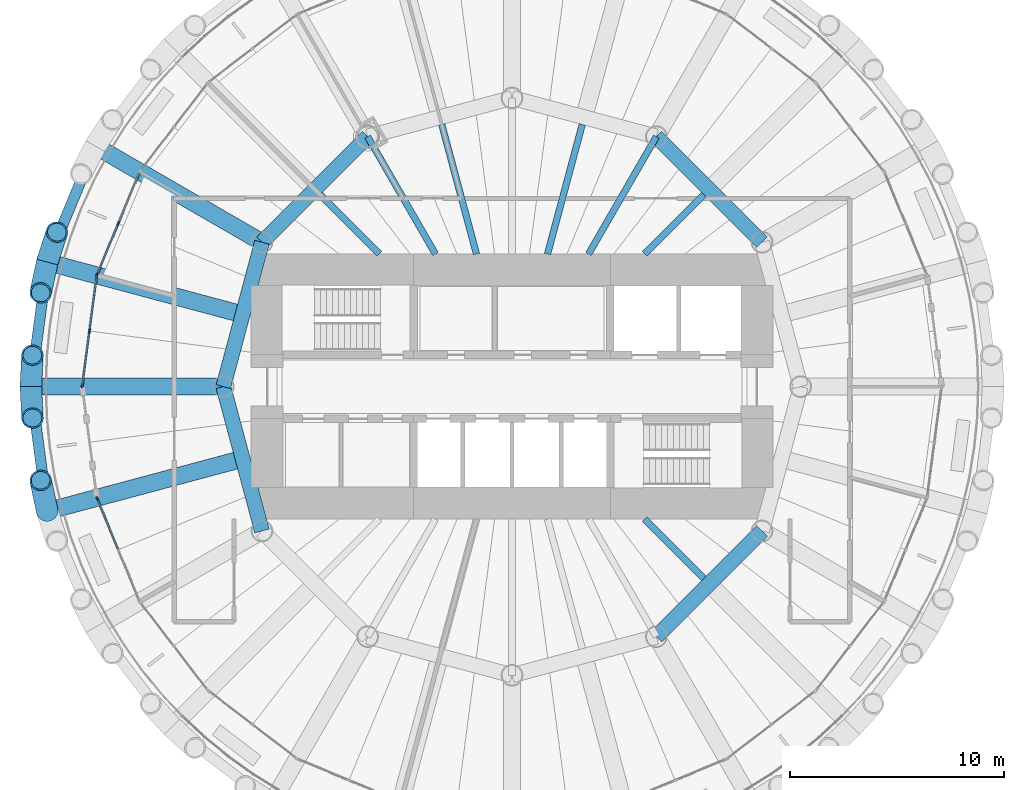
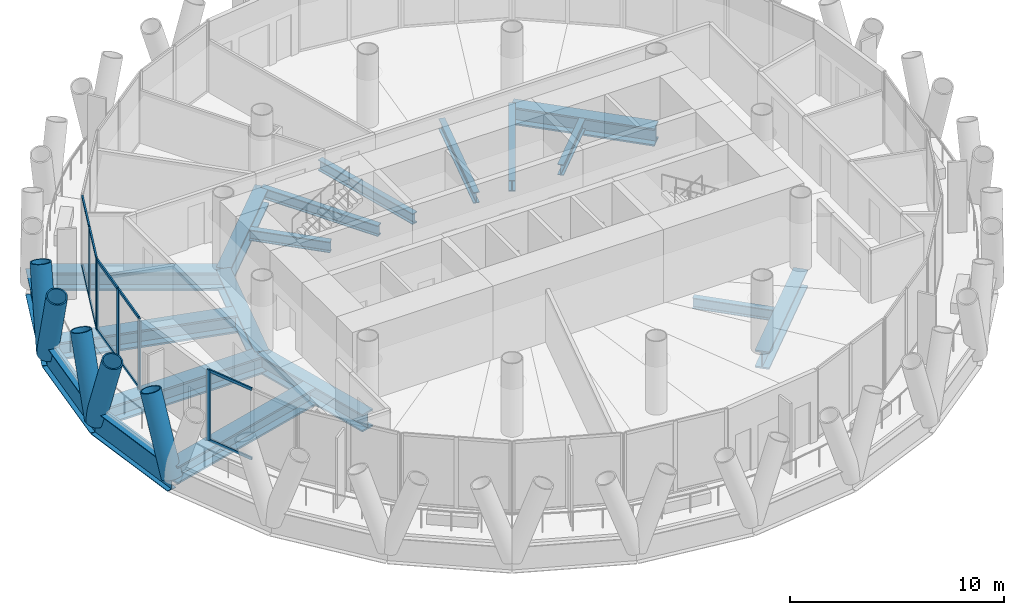
# One storey, part 3 of 14: 21 members, 19 beams, 3 elements without a shape of their own.
"""IFC4 building model written with IfcOpenShell, lengths in metres."""

from ifc_helpers import new_model, si_unit, direction, frame, origin, origin_2d, place, context, subcontext, project, spatial, rectangle, hollow_circle, i_section, extrude, material, material_profile, profile_set, type_object, element, aggregate, save


model = new_model("IFC4")

# Units and contexts
model_context = context("Model", 3, precision=1e-05, world=origin(), true_north=direction((0.0, 1.0)))
body_context = subcontext(model_context, "Body", "Model", "MODEL_VIEW")
ifc_project = project(units=[si_unit("LENGTHUNIT", "METRE"), si_unit("AREAUNIT", "SQUARE_METRE"), si_unit("VOLUMEUNIT", "CUBIC_METRE"), si_unit("PLANEANGLEUNIT", "RADIAN"), si_unit("MASSUNIT", "GRAM", prefix="KILO")], contexts=[model_context])

# Site, building, storey
site_placement = place(None, origin())
site = spatial("IfcSite", under=ifc_project, at=site_placement, CompositionType="ELEMENT")
building_placement = place(site_placement, origin())
building = spatial("IfcBuilding", under=site, at=building_placement, Name="Qaws Media Tower", CompositionType="ELEMENT")
storey_placement = place(building_placement, frame((0.0, 0.0, 227.60009765625)))
storey = spatial("IfcBuildingStorey", under=building, at=storey_placement, Name="L52", CompositionType="ELEMENT", Elevation=227.60009765625)

# Curtain wall, members
ifc_material_1 = material(Name="Aluminium and clear glass", Category="aluminium")
curtain_wall_type = type_object("IfcCurtainWallType", Name="Unitised curtain wall CW-C", PredefinedType="NOTDEFINED", material=ifc_material_1)
curtain_wall_1_placement = place(storey_placement, origin())
curtain_wall_1 = element("IfcCurtainWall", 1, at=curtain_wall_1_placement, inside=storey, type_object=curtain_wall_type, Name="CWC curtain wall L52-11", PredefinedType="NOTDEFINED")
ifc_material_2 = material(Name="Aluminium mullion", Category="aluminium")
ifc_material_profile_1 = material_profile(ifc_material_2, rectangle(XDim=0.080078125, YDim=0.199951171875, at=origin_2d()), Name="80x200")
ifc_profile_set_1 = profile_set([ifc_material_profile_1], Name="Aluminium mullion")
member_type_1 = type_object("IfcMemberType", Name="Curtain wall mullion 80x200", PredefinedType="MULLION", material=ifc_profile_set_1)
member_1_placement = place(storey_placement, frame((41.5888671875, 57.626220703125, 0.0), z_axis=(0.0, 0.0, 1.0), x_axis=(0.92387956029, -0.382683365302, 0.0)))
member_1 = element("IfcMember", 2, at=member_1_placement, type_object=member_type_1, Name="CWC mullion 2", PredefinedType="MULLION", context=body_context, shape_type="SweptSolid", body=[
    extrude(rectangle(XDim=0.080078125, YDim=0.199951171875, at=origin_2d()), origin(), (0.0, 0.0, 1.0), 4.039794921875),
])
member_2_placement = place(storey_placement, frame((40.60009765625, 55.2392578125, 0.0), z_axis=(0.0, 0.0, 1.0), x_axis=(0.92387956029, -0.382683365302, 0.0)))
member_2 = element("IfcMember", 3, at=member_2_placement, type_object=member_type_1, Name="CWC mullion 3", PredefinedType="MULLION", context=body_context, shape_type="SweptSolid", body=[
    extrude(rectangle(XDim=0.080078125, YDim=0.199951171875, at=origin_2d()), origin(), (0.0, 0.0, 1.0), 4.039794921875),
])

curtain_wall_2_placement = place(storey_placement, origin())
curtain_wall_2 = element("IfcCurtainWall", 4, at=curtain_wall_2_placement, inside=storey, type_object=curtain_wall_type, Name="CWC curtain wall L52-12", PredefinedType="NOTDEFINED")
member_3_placement = place(storey_placement, frame((40.57958984375, 55.16259765625, 0.0), z_axis=(0.0, 0.0, 1.0), x_axis=(0.991444859328, -0.130526207759, 0.0)))
member_3 = element("IfcMember", 5, at=member_3_placement, type_object=member_type_1, Name="CWC mullion 1", PredefinedType="MULLION", context=body_context, shape_type="SweptSolid", body=[
    extrude(rectangle(XDim=0.080078125, YDim=0.199951171875, at=origin_2d()), origin(), (0.0, 0.0, 1.0), 4.039794921875),
])
member_4_placement = place(storey_placement, frame((40.242431640625, 52.60107421875, 0.0), z_axis=(0.0, 0.0, 1.0), x_axis=(0.991444859328, -0.130526207759, 0.0)))
member_4 = element("IfcMember", 6, at=member_4_placement, type_object=member_type_1, Name="CWC mullion 2", PredefinedType="MULLION", context=body_context, shape_type="SweptSolid", body=[
    extrude(rectangle(XDim=0.080078125, YDim=0.199951171875, at=origin_2d()), origin(), (0.0, 0.0, 1.0), 4.039794921875),
])
member_5_placement = place(storey_placement, frame((39.9052734375, 50.03955078125, 0.0), z_axis=(0.0, 0.0, 1.0), x_axis=(0.991444859328, -0.130526207759, 0.0)))
member_5 = element("IfcMember", 7, at=member_5_placement, type_object=member_type_1, Name="CWC mullion 3", PredefinedType="MULLION", context=body_context, shape_type="SweptSolid", body=[
    extrude(rectangle(XDim=0.080078125, YDim=0.199951171875, at=origin_2d()), origin(), (0.0, 0.0, 1.0), 4.039794921875),
])

# Curtain wall, member
curtain_wall_3_placement = place(storey_placement, origin())
curtain_wall_3 = element("IfcCurtainWall", 8, at=curtain_wall_3_placement, inside=storey, type_object=curtain_wall_type, Name="CWC curtain wall L52-14", PredefinedType="NOTDEFINED")
member_6_placement = place(storey_placement, frame((40.60009765625, 44.7607421875, 0.0), z_axis=(0.0, 0.0, 1.0), x_axis=(0.92387956029, 0.382683365302, 0.0)))
member_6 = element("IfcMember", 9, at=member_6_placement, type_object=member_type_1, Name="CWC mullion 1", PredefinedType="MULLION", context=body_context, shape_type="SweptSolid", body=[
    extrude(rectangle(XDim=0.080078125, YDim=0.199951171875, at=origin_2d()), origin(), (0.0, 0.0, 1.0), 4.039794921875),
])

# Member
ifc_material_3 = material(Name="Aluminium transom", Category="aluminium")
ifc_material_profile_2 = material_profile(ifc_material_3, rectangle(XDim=0.080078125, YDim=0.159912109375, at=origin_2d()), Name="80x160")
ifc_profile_set_2 = profile_set([ifc_material_profile_2], Name="Aluminium transom")
member_type_2 = type_object("IfcMemberType", Name="Curtain wall transom 80x160", PredefinedType="USERDEFINED", material=ifc_profile_set_2)
member_7_placement = place(storey_placement, frame((42.562255859375, 59.97607421875, 0.039794921875), z_axis=(-0.382661849723, -0.923888472039, 0.0), x_axis=(0.923888472039, -0.382661849723, 0.0)))
member_7 = element("IfcMember", 10, at=member_7_placement, type_object=member_type_2, Name="CWC transom 1.1", ObjectType="TRANSOM", PredefinedType="USERDEFINED", context=body_context, shape_type="SweptSolid", body=[
    extrude(rectangle(XDim=0.080078125, YDim=0.159912109375, at=origin_2d()), origin(), (0.0, 0.0, 1.0), 2.50341796875),
])

member_8_placement = place(storey_placement, frame((42.562255859375, 59.97607421875, 4.0), z_axis=(-0.382661849723, -0.923888472039, 0.0), x_axis=(0.923888472039, -0.382661849723, 0.0)))
member_8 = element("IfcMember", 11, at=member_8_placement, type_object=member_type_2, Name="CWC transom 1.2", ObjectType="TRANSOM", PredefinedType="USERDEFINED", context=body_context, shape_type="SweptSolid", body=[
    extrude(rectangle(XDim=0.080078125, YDim=0.159912109375, at=origin_2d()), origin(), (0.0, 0.0, 1.0), 2.50341796875),
])

member_9_placement = place(storey_placement, frame((41.573486328125, 57.589111328125, 0.039794921875), z_axis=(-0.382661849723, -0.923888472039, 0.0), x_axis=(0.923888472039, -0.382661849723, 0.0)))
member_9 = element("IfcMember", 12, at=member_9_placement, type_object=member_type_2, Name="CWC transom 2.1", ObjectType="TRANSOM", PredefinedType="USERDEFINED", context=body_context, shape_type="SweptSolid", body=[
    extrude(rectangle(XDim=0.080078125, YDim=0.159912109375, at=origin_2d()), origin(), (0.0, 0.0, 1.0), 2.50341796875),
])

member_10_placement = place(storey_placement, frame((41.573486328125, 57.589111328125, 4.0), z_axis=(-0.382661849723, -0.923888472039, 0.0), x_axis=(0.923888472039, -0.382661849723, 0.0)))
member_10 = element("IfcMember", 13, at=member_10_placement, type_object=member_type_2, Name="CWC transom 2.2", ObjectType="TRANSOM", PredefinedType="USERDEFINED", context=body_context, shape_type="SweptSolid", body=[
    extrude(rectangle(XDim=0.080078125, YDim=0.159912109375, at=origin_2d()), origin(), (0.0, 0.0, 1.0), 2.50341796875),
])

aggregate(curtain_wall_1, [member_1, member_2, member_7, member_8, member_9, member_10])

member_11_placement = place(storey_placement, frame((40.574462890625, 55.123046875, 0.039794921875), z_axis=(-0.130573070139, -0.991438688651, 0.0), x_axis=(0.991438688651, -0.130573070139, 0.0)))
member_11 = element("IfcMember", 14, at=member_11_placement, type_object=member_type_2, Name="CWC transom 1.1", ObjectType="TRANSOM", PredefinedType="USERDEFINED", context=body_context, shape_type="SweptSolid", body=[
    extrude(rectangle(XDim=0.080078125, YDim=0.159912109375, at=origin_2d()), origin(), (0.0, 0.0, 1.0), 2.503662109375),
])

member_12_placement = place(storey_placement, frame((40.574462890625, 55.123046875, 4.0), z_axis=(-0.130573070139, -0.991438688651, 0.0), x_axis=(0.991438688651, -0.130573070139, 0.0)))
member_12 = element("IfcMember", 15, at=member_12_placement, type_object=member_type_2, Name="CWC transom 1.2", ObjectType="TRANSOM", PredefinedType="USERDEFINED", context=body_context, shape_type="SweptSolid", body=[
    extrude(rectangle(XDim=0.080078125, YDim=0.159912109375, at=origin_2d()), origin(), (0.0, 0.0, 1.0), 2.503662109375),
])

member_13_placement = place(storey_placement, frame((40.2373046875, 52.5615234375, 0.039794921875), z_axis=(-0.130573070139, -0.991438688651, 0.0), x_axis=(0.991438688651, -0.130573070139, 0.0)))
member_13 = element("IfcMember", 16, at=member_13_placement, type_object=member_type_2, Name="CWC transom 2.1", ObjectType="TRANSOM", PredefinedType="USERDEFINED", context=body_context, shape_type="SweptSolid", body=[
    extrude(rectangle(XDim=0.080078125, YDim=0.159912109375, at=origin_2d()), origin(), (0.0, 0.0, 1.0), 2.503662109375),
])

member_14_placement = place(storey_placement, frame((40.2373046875, 52.5615234375, 4.0), z_axis=(-0.130573070139, -0.991438688651, 0.0), x_axis=(0.991438688651, -0.130573070139, 0.0)))
member_14 = element("IfcMember", 17, at=member_14_placement, type_object=member_type_2, Name="CWC transom 2.2", ObjectType="TRANSOM", PredefinedType="USERDEFINED", context=body_context, shape_type="SweptSolid", body=[
    extrude(rectangle(XDim=0.080078125, YDim=0.159912109375, at=origin_2d()), origin(), (0.0, 0.0, 1.0), 2.503662109375),
])

aggregate(curtain_wall_2, [member_3, member_4, member_5, member_11, member_12, member_13, member_14])

member_15_placement = place(storey_placement, frame((40.615478515625, 44.723876953125, 0.039794921875), z_axis=(0.382661849723, -0.923888472039, 0.0), x_axis=(0.923888472039, 0.382661849723, 0.0)))
member_15 = element("IfcMember", 18, at=member_15_placement, type_object=member_type_2, Name="CWC transom 1.1", ObjectType="TRANSOM", PredefinedType="USERDEFINED", context=body_context, shape_type="SweptSolid", body=[
    extrude(rectangle(XDim=0.080078125, YDim=0.159912109375, at=origin_2d()), origin(), (0.0, 0.0, 1.0), 2.50341796875),
])

member_16_placement = place(storey_placement, frame((40.615478515625, 44.723876953125, 4.0), z_axis=(0.382661849723, -0.923888472039, 0.0), x_axis=(0.923888472039, 0.382661849723, 0.0)))
member_16 = element("IfcMember", 19, at=member_16_placement, type_object=member_type_2, Name="CWC transom 1.2", ObjectType="TRANSOM", PredefinedType="USERDEFINED", context=body_context, shape_type="SweptSolid", body=[
    extrude(rectangle(XDim=0.080078125, YDim=0.159912109375, at=origin_2d()), origin(), (0.0, 0.0, 1.0), 2.50341796875),
])

aggregate(curtain_wall_3, [member_6, member_15, member_16])

# Members
ifc_material_4 = material(Name="Steel S460", Category="steel")
ifc_material_profile_3 = material_profile(ifc_material_4, hollow_circle(Radius=0.508056640625, WallThickness=0.070068359375, at=origin_2d()), Name="CHS 1016x70")
ifc_profile_set_3 = profile_set([ifc_material_profile_3], Name="Steel S460")
member_type_3 = type_object("IfcMemberType", Name="Diagrid member CHS 1016x70", PredefinedType="USERDEFINED", material=ifc_profile_set_3)
for number, where, z_axis, x_axis, name in (
    (20, (38.2666015625, 55.823486328125, -0.91015625), (-0.06961596623, -0.323283600467, 0.943737956699), (0.977590710821, -0.210514612597, 0.0), "DG3 diagrid L52 A12"),
    (21, (38.2666015625, 55.823486328125, -0.91015625), (0.101378983785, 0.314779550303, 0.943735204577), (-0.951852353901, 0.306556840364, 0.0), "DG3 diagrid L52 B12"),
    (22, (37.5, 50.0, -0.91015625), (0.016457560548, -0.330303240189, 0.943731380331), (0.998761010727, 0.049763876967, 0.0), "DG3 diagrid L52 A13"),
    (23, (37.5, 50.0, -0.91015625), (0.016457560548, 0.330303240189, 0.943731380331), (-0.998761010727, 0.049763876967, 0.0), "DG3 diagrid L52 B13"),
    (24, (38.2666015625, 44.176513671875, -0.91015625), (-0.06961596623, 0.323283600467, 0.943737956699), (-0.977590710821, -0.210514612597, 0.0), "DG3 diagrid L52 B14"),
):
    element("IfcMember", number, at=place(storey_placement, frame(where, z_axis=z_axis, x_axis=x_axis)), inside=storey, type_object=member_type_3, Name=name, ObjectType="DIAGRID", PredefinedType="USERDEFINED", context=body_context, shape_type="SweptSolid", body=[
        extrude(hollow_circle(Radius=0.508056640625, WallThickness=0.070068359375, at=origin_2d()), origin(), (0.0, 0.0, 1.0), 4.450439453125),
    ])

# Beams
ifc_material_5 = material(Name="Steel S460", Category="steel")
ifc_material_profile_4 = material_profile(ifc_material_5, i_section(OverallWidth=0.5, OverallDepth=1.5, WebThickness=0.02001953125, FlangeThickness=0.0400390625, at=origin_2d()), Name="PG 1500x500")
ifc_profile_set_4 = profile_set([ifc_material_profile_4], Name="Steel S460")
beam_type_1 = type_object("IfcBeamType", Name="Edge ring beam PG 1500x500", PredefinedType="BEAM", material=ifc_profile_set_4)
beam_1_placement = place(storey_placement, frame((40.514404296875, 61.25, -0.91015625), z_axis=(-0.382693194178, -0.923875488976, 0.0), x_axis=(0.923875488976, -0.382693194178, 0.0)))
element("IfcBeam", 25, at=beam_1_placement, inside=storey, type_object=beam_type_1, Name="RB4 edge ring beam L52-11", PredefinedType="BEAM", context=body_context, shape_type="SweptSolid", body=[
    extrude(i_section(OverallWidth=0.5, OverallDepth=1.5, WebThickness=0.02001953125, FlangeThickness=0.0400390625, at=origin_2d()), origin(), (0.0, 0.0, 1.0), 5.87353515625),
])
for number, where, z_axis, x_axis, name in (
    (26, (38.2666015625, 55.823486328125, -0.91015625), (-0.13051364818, -0.991446512747, 0.0), (0.991446512747, -0.13051364818, 0.0), "RB4 edge ring beam L52-12"),
    (27, (37.5, 50.0, -0.91015625), (0.13051364818, -0.991446512747, 0.0), (0.991446512747, 0.13051364818, 0.0), "RB4 edge ring beam L52-13"),
):
    element("IfcBeam", number, at=place(storey_placement, frame(where, z_axis=z_axis, x_axis=x_axis)), inside=storey, type_object=beam_type_1, Name=name, PredefinedType="BEAM", context=body_context, shape_type="SweptSolid", body=[
        extrude(i_section(OverallWidth=0.5, OverallDepth=1.5, WebThickness=0.02001953125, FlangeThickness=0.0400390625, at=origin_2d()), origin(), (0.0, 0.0, 1.0), 5.873779296875),
    ])
ifc_material_6 = material(Name="Steel S460", Category="steel")
ifc_material_profile_5 = material_profile(ifc_material_6, i_section(OverallWidth=0.699951171875, OverallDepth=1.0, WebThickness=0.034912109375, FlangeThickness=0.090087890625, at=origin_2d()), Name="PG 1000x700")
ifc_profile_set_5 = profile_set([ifc_material_profile_5], Name="Steel S460")
beam_type_2 = type_object("IfcBeamType", Name="Inner ring girder PG 1000x700", PredefinedType="BEAM", material=ifc_profile_set_5)
for number, where, z_axis, x_axis, name in (
    (28, (71.69140625, 56.75, -0.66015625), (-0.707106781187, 0.707106781187, 0.0), (-0.707106781187, -0.707106781187, 0.0), "B3 inner ring beam L52 I02-I03"),
    (29, (53.25, 61.69140625, -0.66015625), (-0.707106781187, -0.707106781187, 0.0), (0.707106781187, -0.707106781187, 0.0), "B3 inner ring beam L52 I05-I06"),
):
    element("IfcBeam", number, at=place(storey_placement, frame(where, z_axis=z_axis, x_axis=x_axis)), inside=storey, type_object=beam_type_2, Name=name, PredefinedType="BEAM", context=body_context, shape_type="SweptSolid", body=[
        extrude(i_section(OverallWidth=0.699951171875, OverallDepth=1.0, WebThickness=0.034912109375, FlangeThickness=0.090087890625, at=origin_2d()), origin(), (0.0, 0.0, 1.0), 6.98828125),
    ])
for number, where, z_axis, x_axis, name in (
    (30, (48.30859375, 56.75, -0.66015625), (-0.258810593767, -0.965928090778, 0.0), (0.965928090778, -0.258810593767, 0.0), "B3 inner ring beam L52 I06-I07"),
    (31, (46.5, 50.0, -0.66015625), (0.258810593767, -0.965928090778, 0.0), (0.965928090778, 0.258810593767, 0.0), "B3 inner ring beam L52 I07-I08"),
):
    element("IfcBeam", number, at=place(storey_placement, frame(where, z_axis=z_axis, x_axis=x_axis)), inside=storey, type_object=beam_type_2, Name=name, PredefinedType="BEAM", context=body_context, shape_type="SweptSolid", body=[
        extrude(i_section(OverallWidth=0.699951171875, OverallDepth=1.0, WebThickness=0.034912109375, FlangeThickness=0.090087890625, at=origin_2d()), origin(), (0.0, 0.0, 1.0), 6.988037109375),
    ])
beam_2_placement = place(storey_placement, frame((66.75, 38.30859375, -0.66015625), z_axis=(0.707106781187, 0.707106781187, 0.0), x_axis=(-0.707106781187, 0.707106781187, 0.0)))
element("IfcBeam", 32, at=beam_2_placement, inside=storey, type_object=beam_type_2, Name="B3 inner ring beam L52 I11-I12", PredefinedType="BEAM", context=body_context, shape_type="SweptSolid", body=[
    extrude(i_section(OverallWidth=0.699951171875, OverallDepth=1.0, WebThickness=0.034912109375, FlangeThickness=0.090087890625, at=origin_2d()), origin(), (0.0, 0.0, 1.0), 6.98828125),
])
ifc_material_7 = material(Name="Steel S355", Category="steel")
ifc_material_profile_6 = material_profile(ifc_material_7, i_section(OverallWidth=0.304931640625, OverallDepth=0.6201171875, WebThickness=0.02099609375, FlangeThickness=0.0400390625, FilletRadius=0.027099609375, at=origin_2d()), Name="HE 600 M")
ifc_profile_set_6 = profile_set([ifc_material_profile_6], Name="Steel S355")
beam_type_3 = type_object("IfcBeamType", Name="Radial beam HE 600 M, core side", PredefinedType="BEAM", material=ifc_profile_set_6)
beam_3_placement = place(storey_placement, frame((66.199951171875, 56.199951171875, -0.47021484375), z_axis=(0.707106781187, 0.707106781187, 0.0), x_axis=(-0.707106781187, 0.707106781187, 0.0)))
element("IfcBeam", 33, at=beam_3_placement, inside=storey, type_object=beam_type_3, Name="B2 radial beam L52 04", PredefinedType="BEAM", context=body_context, shape_type="SweptSolid", body=[
    extrude(i_section(OverallWidth=0.304931640625, OverallDepth=0.6201171875, WebThickness=0.02099609375, FlangeThickness=0.0400390625, FilletRadius=0.027099609375, at=origin_2d()), origin(), (0.0, 0.0, 1.0), 3.921875),
])
beam_4_placement = place(storey_placement, frame((63.57958984375, 56.199951171875, -0.47021484375), z_axis=(0.499990193304, 0.866031065609, 0.0), x_axis=(-0.866031065609, 0.499990193304, 0.0)))
element("IfcBeam", 34, at=beam_4_placement, inside=storey, type_object=beam_type_3, Name="B2 radial beam L52 05", PredefinedType="BEAM", context=body_context, shape_type="SweptSolid", body=[
    extrude(i_section(OverallWidth=0.304931640625, OverallDepth=0.6201171875, WebThickness=0.02099609375, FlangeThickness=0.0400390625, FilletRadius=0.027099609375, at=origin_2d()), origin(), (0.0, 0.0, 1.0), 6.341064453125),
])
for number, where, z_axis, x_axis, name in (
    (35, (61.661376953125, 56.199951171875, -0.47021484375), (0.258806137559, 0.965929284763, 0.0), (-0.965929284763, 0.258806137559, 0.0), "B2 radial beam L52 06"),
    (36, (58.338623046875, 56.199951171875, -0.47021484375), (-0.258806137559, 0.965929284763, 0.0), (-0.965929284763, -0.258806137559, 0.0), "B2 radial beam L52 08"),
):
    element("IfcBeam", number, at=place(storey_placement, frame(where, z_axis=z_axis, x_axis=x_axis)), inside=storey, type_object=beam_type_3, Name=name, PredefinedType="BEAM", context=body_context, shape_type="SweptSolid", body=[
        extrude(i_section(OverallWidth=0.304931640625, OverallDepth=0.6201171875, WebThickness=0.02099609375, FlangeThickness=0.0400390625, FilletRadius=0.027099609375, at=origin_2d()), origin(), (0.0, 0.0, 1.0), 6.271240234375),
    ])
beam_5_placement = place(storey_placement, frame((56.42041015625, 56.199951171875, -0.47021484375), z_axis=(-0.499990193304, 0.866031065609, 0.0), x_axis=(-0.866031065609, -0.499990193304, 0.0)))
element("IfcBeam", 37, at=beam_5_placement, inside=storey, type_object=beam_type_3, Name="B2 radial beam L52 09", PredefinedType="BEAM", context=body_context, shape_type="SweptSolid", body=[
    extrude(i_section(OverallWidth=0.304931640625, OverallDepth=0.6201171875, WebThickness=0.02099609375, FlangeThickness=0.0400390625, FilletRadius=0.027099609375, at=origin_2d()), origin(), (0.0, 0.0, 1.0), 6.341064453125),
])
for number, where, z_axis, x_axis, name in (
    (38, (53.800048828125, 56.199951171875, -0.47021484375), (-0.707106781187, 0.707106781187, 0.0), (-0.707106781187, -0.707106781187, 0.0), "B2 radial beam L52 10"),
    (39, (66.199951171875, 43.800048828125, -0.47021484375), (0.707106781187, -0.707106781187, 0.0), (0.707106781187, 0.707106781187, 0.0), "B2 radial beam L52 22"),
):
    element("IfcBeam", number, at=place(storey_placement, frame(where, z_axis=z_axis, x_axis=x_axis)), inside=storey, type_object=beam_type_3, Name=name, PredefinedType="BEAM", context=body_context, shape_type="SweptSolid", body=[
        extrude(i_section(OverallWidth=0.304931640625, OverallDepth=0.6201171875, WebThickness=0.02099609375, FlangeThickness=0.0400390625, FilletRadius=0.027099609375, at=origin_2d()), origin(), (0.0, 0.0, 1.0), 3.921875),
    ])
ifc_material_8 = material(Name="Steel S460", Category="steel")
ifc_material_profile_7 = material_profile(ifc_material_8, i_section(OverallWidth=0.800048828125, OverallDepth=1.0, WebThickness=0.0400390625, FlangeThickness=0.10009765625, at=origin_2d()), Name="PG 1000x800")
ifc_profile_set_7 = profile_set([ifc_material_profile_7], Name="Steel S460")
beam_type_4 = type_object("IfcBeamType", Name="Radial girder PG 1000x800", PredefinedType="BEAM", material=ifc_profile_set_7)
beam_6_placement = place(storey_placement, frame((48.30859375, 56.75, -0.66015625), z_axis=(-0.866024315419, 0.5000018851, 0.0), x_axis=(-0.5000018851, -0.866024315419, 0.0)))
element("IfcBeam", 40, at=beam_6_placement, inside=storey, type_object=beam_type_4, Name="B1 radial beam L52 11", PredefinedType="BEAM", context=body_context, shape_type="SweptSolid", body=[
    extrude(i_section(OverallWidth=0.800048828125, OverallDepth=1.0, WebThickness=0.0400390625, FlangeThickness=0.10009765625, at=origin_2d()), origin(), (0.0, 0.0, 1.0), 9.0),
])
beam_7_placement = place(storey_placement, frame((47.066162109375, 53.465576171875, -0.66015625), z_axis=(-0.965923767696, 0.258826727753, 0.0), x_axis=(-0.258826727753, -0.965923767696, 0.0)))
element("IfcBeam", 41, at=beam_7_placement, inside=storey, type_object=beam_type_4, Name="B1 radial beam L52 12", PredefinedType="BEAM", context=body_context, shape_type="SweptSolid", body=[
    extrude(i_section(OverallWidth=0.800048828125, OverallDepth=1.0, WebThickness=0.0400390625, FlangeThickness=0.10009765625, at=origin_2d()), origin(), (0.0, 0.0, 1.0), 9.110107421875),
])
beam_8_placement = place(storey_placement, frame((46.5, 50.0, -0.66015625), z_axis=(-1.0, 0.0, 0.0), x_axis=(0.0, -1.0, 0.0)))
element("IfcBeam", 42, at=beam_8_placement, inside=storey, type_object=beam_type_4, Name="B1 radial beam L52 13", PredefinedType="BEAM", context=body_context, shape_type="SweptSolid", body=[
    extrude(i_section(OverallWidth=0.800048828125, OverallDepth=1.0, WebThickness=0.0400390625, FlangeThickness=0.10009765625, at=origin_2d()), origin(), (0.0, 0.0, 1.0), 9.0),
])
beam_9_placement = place(storey_placement, frame((47.066162109375, 46.534423828125, -0.66015625), z_axis=(-0.965923767696, -0.258826727753, 0.0), x_axis=(0.258826727753, -0.965923767696, 0.0)))
element("IfcBeam", 43, at=beam_9_placement, inside=storey, type_object=beam_type_4, Name="B1 radial beam L52 14", PredefinedType="BEAM", context=body_context, shape_type="SweptSolid", body=[
    extrude(i_section(OverallWidth=0.800048828125, OverallDepth=1.0, WebThickness=0.0400390625, FlangeThickness=0.10009765625, at=origin_2d()), origin(), (0.0, 0.0, 1.0), 9.110107421875),
])

save(model, "model.ifc")
